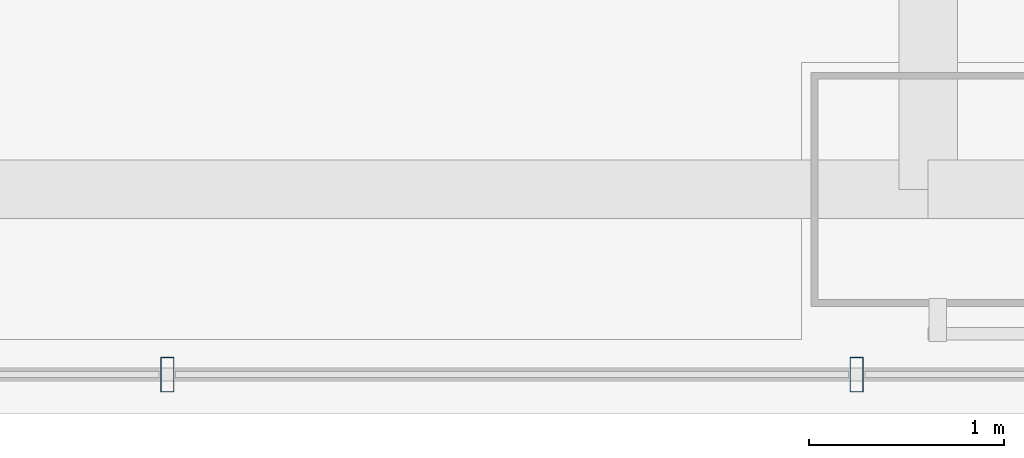
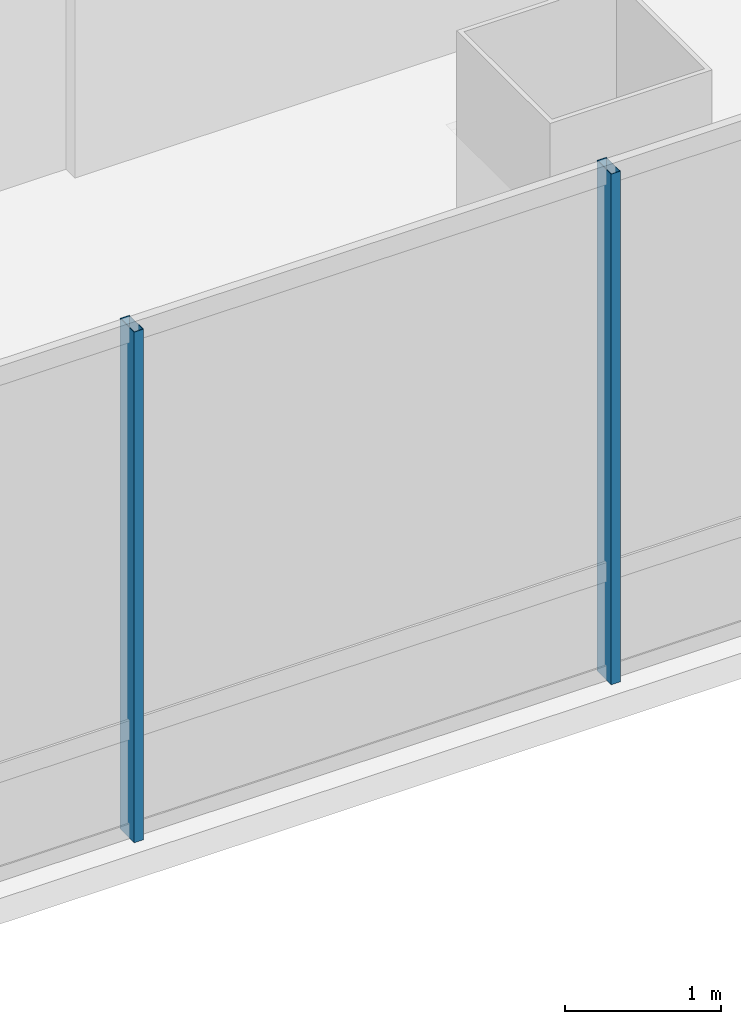
# One storey, part 7 of 42: 2 members, 1 element without a shape of its own.
"""IFC4 building model written with IfcOpenShell, lengths in metres."""

from ifc_helpers import new_model, si_unit, direction, frame, origin, origin_2d, place, context, subcontext, project, spatial, hollow_rectangle, extrude, material, material_profile, profile_set, type_object, element, aggregate, save


model = new_model("IFC4")

# Units and contexts
model_context = context("Model", 3, precision=1e-05, world=origin(), true_north=direction((0.0, 1.0)))
body_context = subcontext(model_context, "Body", "Model", "MODEL_VIEW")
ifc_project = project(units=[si_unit("LENGTHUNIT", "METRE"), si_unit("AREAUNIT", "SQUARE_METRE"), si_unit("VOLUMEUNIT", "CUBIC_METRE"), si_unit("PLANEANGLEUNIT", "RADIAN"), si_unit("MASSUNIT", "GRAM", prefix="KILO")], contexts=[model_context])

# Site, building, storey
site_placement = place(None, origin())
site = spatial("IfcSite", under=ifc_project, at=site_placement, CompositionType="ELEMENT")
building_placement = place(site_placement, origin())
building = spatial("IfcBuilding", under=site, at=building_placement, Name="Punatoya Terracotta Tower", CompositionType="ELEMENT")
storey_placement = place(building_placement, frame((0.0, 0.0, 304.800048828125)))
storey = spatial("IfcBuildingStorey", under=building, at=storey_placement, Name="L72", CompositionType="ELEMENT", Elevation=304.800048828125)

# Curtain wall, members
ifc_material_1 = material(Name="Aluminium 6063-T6 + Double Low-E Glass", Category="aluminium")
curtain_wall_type = type_object("IfcCurtainWallType", Name="CW-M3", PredefinedType="NOTDEFINED", material=ifc_material_1)
curtain_wall_placement = place(storey_placement, origin())
curtain_wall = element("IfcCurtainWall", 1, at=curtain_wall_placement, inside=storey, type_object=curtain_wall_type, Name="L72 Curtain Wall CW-L72-S01-1", PredefinedType="NOTDEFINED")
ifc_material_2 = material(Name="Aluminium 6063-T6", Category="aluminium")
ifc_material_profile = material_profile(ifc_material_2, hollow_rectangle(XDim=0.070068359375, YDim=0.179931640625, WallThickness=0.00390625, at=origin_2d()))
ifc_profile_set = profile_set([ifc_material_profile], Name="Aluminium 6063-T6")
member_type = type_object("IfcMemberType", Name="CW-MUL-M3", PredefinedType="MULLION", material=ifc_profile_set)
member_1_placement = place(storey_placement, frame((-7.700927734375, -18.449951171875, 0.0), z_axis=(0.0, 0.0, 1.0), x_axis=(1.0, 0.0, 0.0)))
member_1 = element("IfcMember", 2, at=member_1_placement, type_object=member_type, Name="CW-L72-S01-1 Mullion 04", PredefinedType="MULLION", context=body_context, shape_type="SweptSolid", body=[
    extrude(hollow_rectangle(XDim=0.070068359375, YDim=0.179931640625, WallThickness=0.00390625, at=origin_2d()), origin(), (0.0, 0.0, 1.0), 4.0),
])
member_2_placement = place(storey_placement, frame((-4.1669921875, -18.449951171875, 0.0), z_axis=(0.0, 0.0, 1.0), x_axis=(1.0, 0.0, 0.0)))
member_2 = element("IfcMember", 3, at=member_2_placement, type_object=member_type, Name="CW-L72-S01-1 Mullion 05", PredefinedType="MULLION", context=body_context, shape_type="SweptSolid", body=[
    extrude(hollow_rectangle(XDim=0.070068359375, YDim=0.179931640625, WallThickness=0.00390625, at=origin_2d()), origin(), (0.0, 0.0, 1.0), 4.0),
])
aggregate(curtain_wall, [member_1, member_2])

save(model, "model.ifc")
